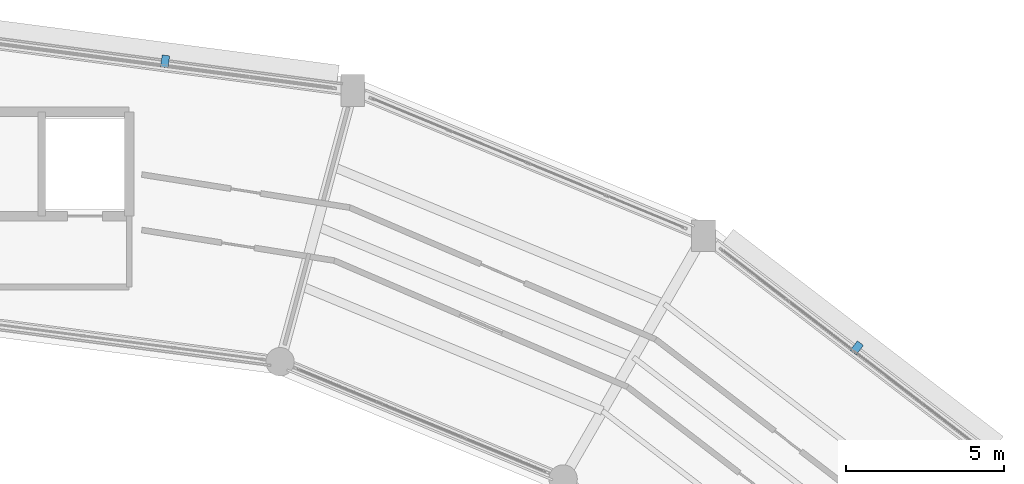
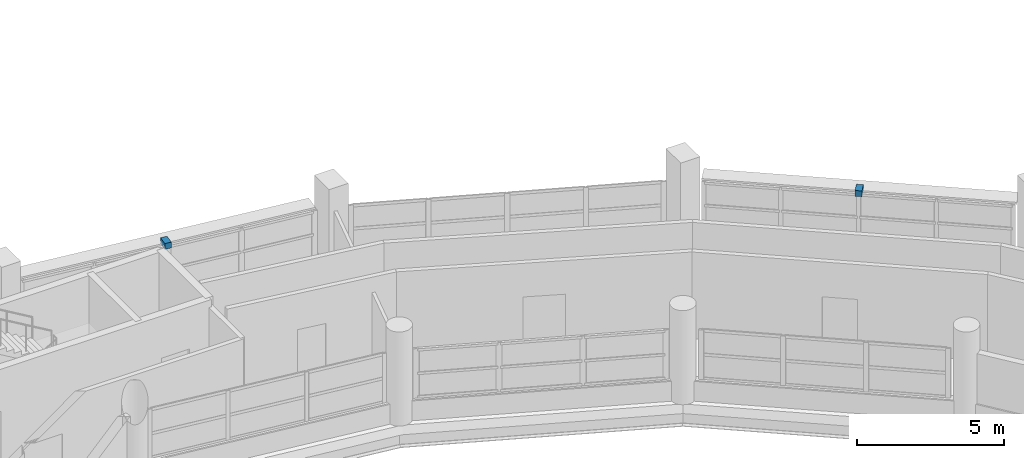
# One storey, part 100 of 108: 2 discrete accessories.
"""IFC4 building model written with IfcOpenShell, lengths in metres."""

from ifc_helpers import new_model, si_unit, direction, frame, origin, origin_2d, place, context, subcontext, project, spatial, rectangle, extrude, material, type_object, element, save


model = new_model("IFC4")

# Units and contexts
model_context = context("Model", 3, precision=1e-05, world=origin(), true_north=direction((0.0, 1.0)))
body_context = subcontext(model_context, "Body", "Model", "MODEL_VIEW")
ifc_project = project(units=[si_unit("LENGTHUNIT", "METRE"), si_unit("AREAUNIT", "SQUARE_METRE"), si_unit("VOLUMEUNIT", "CUBIC_METRE"), si_unit("PLANEANGLEUNIT", "RADIAN"), si_unit("MASSUNIT", "GRAM", prefix="KILO")], contexts=[model_context])

# Site, building, storey
site_placement = place(None, origin())
site = spatial("IfcSite", under=ifc_project, at=site_placement, CompositionType="ELEMENT")
building_placement = place(site_placement, origin())
building = spatial("IfcBuilding", under=site, at=building_placement, Name="Vespera Passage Community Centre", CompositionType="ELEMENT")
storey_placement = place(building_placement, frame((0.0, 0.0, 12.60009765625)))
storey = spatial("IfcBuildingStorey", under=building, at=storey_placement, Name="L03", CompositionType="ELEMENT", Elevation=12.60009765625)

# Discrete accessories
ifc_material = material(Name="Steel ASTM A572 Grade 50", Category="steel")
discrete_accessory_type = type_object("IfcDiscreteAccessoryType", Name="ACC-BRACKET", PredefinedType="BRACKET", material=ifc_material)
for number, where, z_axis, x_axis, name in (
    (1, (105.908935546875, 101.871826171875, 2.66552734375), (0.0, 0.0, 1.0), (0.793342715279, -0.608775275544, 0.0), "V4 L03 Outer Solar Eyebrow 3 Bracket"),
    (2, (83.984130859375, 110.953369140625, 2.66552734375), (0.0, 0.0, 1.0), (0.991444861374, -0.13052619222, 0.0), "V4 L03 Outer Solar Eyebrow 5 Bracket"),
):
    element("IfcDiscreteAccessory", number, at=place(storey_placement, frame(where, z_axis=z_axis, x_axis=x_axis)), inside=storey, type_object=discrete_accessory_type, Name=name, PredefinedType="BRACKET", context=body_context, shape_type="SweptSolid", body=[
        extrude(rectangle(XDim=0.239990234375, YDim=0.3798828125, at=origin_2d()), origin(), (0.0, 0.0, 1.0), 0.239990234375),
    ])

save(model, "model.ifc")
